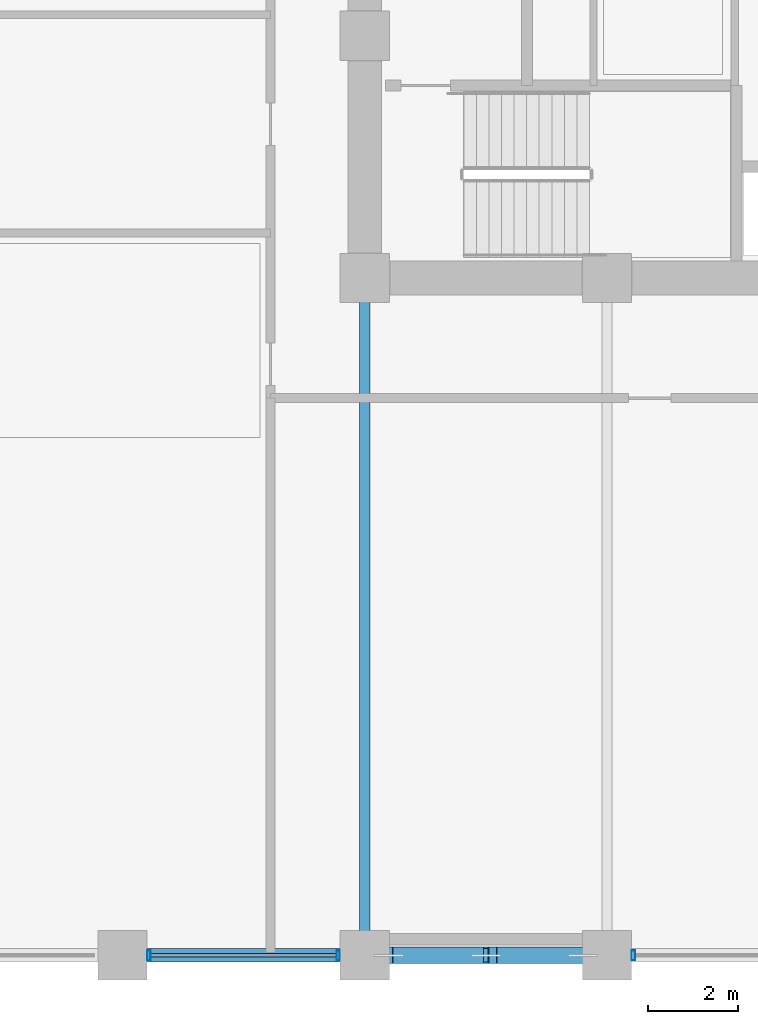
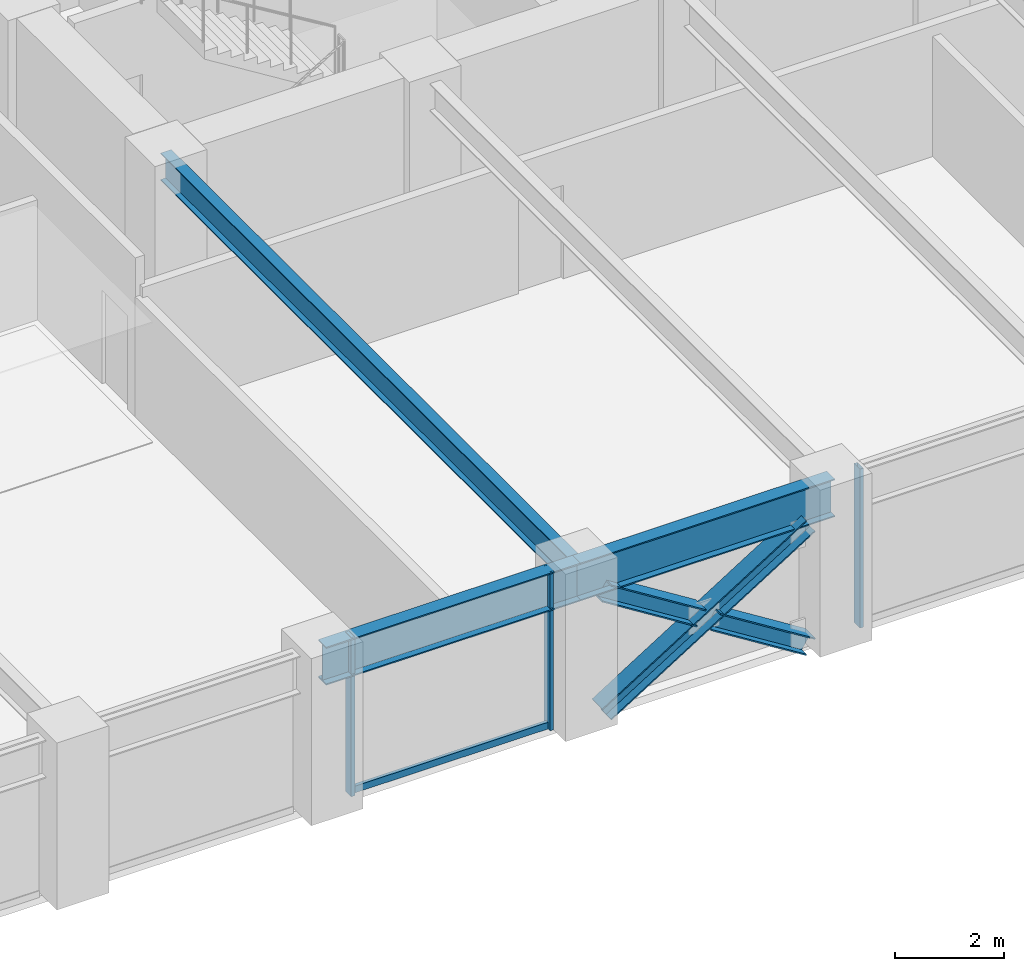
# One storey, part 4 of 25: 7 members, 3 beams, 2 elements without a shape of their own.
"""IFC4 building model written with IfcOpenShell, lengths in metres."""

from ifc_helpers import new_model, si_unit, direction, frame, origin, origin_2d, place, context, subcontext, project, spatial, hollow_rectangle, i_section, extrude, material, layer, layer_set, material_profile, profile_set, type_object, element, aggregate, save


model = new_model("IFC4")

# Units and contexts
model_context = context("Model", 3, precision=1e-05, world=origin(), true_north=direction((0.0, 1.0)))
body_context = subcontext(model_context, "Body", "Model", "MODEL_VIEW")
ifc_project = project(units=[si_unit("LENGTHUNIT", "METRE"), si_unit("AREAUNIT", "SQUARE_METRE"), si_unit("VOLUMEUNIT", "CUBIC_METRE"), si_unit("PLANEANGLEUNIT", "RADIAN"), si_unit("MASSUNIT", "GRAM", prefix="KILO")], contexts=[model_context])

# Site, building, storey
site_placement = place(None, origin())
site = spatial("IfcSite", under=ifc_project, at=site_placement, CompositionType="ELEMENT")
building_placement = place(site_placement, origin())
building = spatial("IfcBuilding", under=site, at=building_placement, Name="Surkhivell Harbour Commons", CompositionType="ELEMENT")
storey_placement = place(building_placement, frame((0.0, 0.0, 109.5)))
storey = spatial("IfcBuildingStorey", under=building, at=storey_placement, Name="L28", CompositionType="ELEMENT", Elevation=109.5)

# Beams
ifc_material_1 = material(Name="Steel S355", Category="steel")
ifc_material_profile_1 = material_profile(ifc_material_1, i_section(OverallWidth=0.22998046875, OverallDepth=0.616943359375, WebThickness=0.01318359375, FlangeThickness=0.022216796875, at=origin_2d()), Name="UB610x229x140")
ifc_profile_set_1 = profile_set([ifc_material_profile_1], Name="Steel S355")
beam_type_1 = type_object("IfcBeamType", Name="BM-GRD-610B", PredefinedType="BEAM", material=ifc_profile_set_1)
beam_1_placement = place(storey_placement, frame((-10.800048828125, -25.89990234375, 3.261474609375), z_axis=(0.0, 1.0, 0.0), x_axis=(-1.0, 0.0, 0.0)))
element("IfcBeam", 1, at=beam_1_placement, inside=storey, type_object=beam_type_1, Name="L28 Floor Girder (-10.8,-25.9)", PredefinedType="BEAM", context=body_context, shape_type="SweptSolid", body=[
    extrude(i_section(OverallWidth=0.22998046875, OverallDepth=0.616943359375, WebThickness=0.01318359375, FlangeThickness=0.022216796875, at=origin_2d()), origin(), (0.0, 0.0, 1.0), 15.099853515625),
])
ifc_material_2 = material(Name="Steel S460", Category="steel")
ifc_material_profile_2 = material_profile(ifc_material_2, i_section(OverallWidth=0.2939453125, OverallDepth=0.85107421875, WebThickness=0.01611328125, FlangeThickness=0.02685546875, at=origin_2d()), Name="UB838x292x226")
ifc_profile_set_2 = profile_set([ifc_material_profile_2], Name="Steel S460")
beam_type_2 = type_object("IfcBeamType", Name="BM-SPN-838", PredefinedType="SPANDREL", material=ifc_profile_set_2)
beam_2_placement = place(storey_placement, frame((-16.199951171875, -25.89990234375, 3.14453125), z_axis=(1.0, 0.0, 0.0), x_axis=(0.0, 1.0, 0.0)))
element("IfcBeam", 2, at=beam_2_placement, inside=storey, type_object=beam_type_2, Name="L28 Tube Spandrel (-16.2,-25.9)", PredefinedType="SPANDREL", context=body_context, shape_type="SweptSolid", body=[
    extrude(i_section(OverallWidth=0.2939453125, OverallDepth=0.85107421875, WebThickness=0.01611328125, FlangeThickness=0.02685546875, at=origin_2d()), origin(), (0.0, 0.0, 1.0), 5.39990234375),
])
beam_3_placement = place(storey_placement, frame((-10.800048828125, -25.89990234375, 3.14453125), z_axis=(1.0, 0.0, 0.0), x_axis=(0.0, 1.0, 0.0)))
element("IfcBeam", 3, at=beam_3_placement, inside=storey, type_object=beam_type_2, Name="L28 Tube Spandrel (-10.8,-25.9)", PredefinedType="SPANDREL", context=body_context, shape_type="SweptSolid", body=[
    extrude(i_section(OverallWidth=0.2939453125, OverallDepth=0.85107421875, WebThickness=0.01611328125, FlangeThickness=0.02685546875, at=origin_2d()), origin(), (0.0, 0.0, 1.0), 5.400146484375),
])

# Curtain wall, members
ifc_material_3 = material(Name="Anodised pale-metal aluminium and insulated glazing", Category="aluminium")
ifc_layer = layer(ifc_material_3, 0.205078125)
ifc_layer_set = layer_set([ifc_layer], Name="Anodised pale-metal aluminium and insulated glazing")
curtain_wall_type = type_object("IfcCurtainWallType", Name="CW-SYS-Z2", PredefinedType="NOTDEFINED", material=ifc_layer_set)
curtain_wall_1_placement = place(storey_placement, origin())
curtain_wall_1 = element("IfcCurtainWall", 4, at=curtain_wall_1_placement, inside=storey, type_object=curtain_wall_type, Name="L28 Curtain Wall CW-L28-E00S1", PredefinedType="NOTDEFINED")
ifc_material_4 = material(Name="Anodised pale-metal aluminium alloy 6063-T6", Category="aluminium")
ifc_material_profile_3 = material_profile(ifc_material_4, hollow_rectangle(XDim=0.074951171875, YDim=0.219970703125, WallThickness=0.00390625, at=origin_2d()), Name="ALU-MULL-75x220")
ifc_profile_set_3 = profile_set([ifc_material_profile_3], Name="Anodised pale-metal aluminium alloy 6063-T6")
member_type_1 = type_object("IfcMemberType", Name="CWM-220", PredefinedType="MULLION", material=ifc_profile_set_3)
member_1_placement = place(storey_placement, frame((-15.610595703125, -25.89990234375, 0.0), z_axis=(0.0, 0.0, 1.0), x_axis=(1.0, 0.0, 0.0)))
member_1 = element("IfcMember", 5, at=member_1_placement, type_object=member_type_1, Name="CW-Z2 mullion 3", PredefinedType="MULLION", context=body_context, shape_type="SweptSolid", body=[
    extrude(hollow_rectangle(XDim=0.074951171875, YDim=0.219970703125, WallThickness=0.00390625, at=origin_2d()), origin(), (0.0, 0.0, 1.0), 3.570068359375),
])
member_2_placement = place(storey_placement, frame((-11.389404296875, -25.89990234375, 0.0), z_axis=(0.0, 0.0, 1.0), x_axis=(1.0, 0.0, 0.0)))
member_2 = element("IfcMember", 6, at=member_2_placement, type_object=member_type_1, Name="CW-Z2 mullion 4", PredefinedType="MULLION", context=body_context, shape_type="SweptSolid", body=[
    extrude(hollow_rectangle(XDim=0.074951171875, YDim=0.219970703125, WallThickness=0.00390625, at=origin_2d()), origin(), (0.0, 0.0, 1.0), 3.570068359375),
])

# Curtain wall, member
curtain_wall_2_placement = place(storey_placement, origin())
curtain_wall_2 = element("IfcCurtainWall", 7, at=curtain_wall_2_placement, inside=storey, type_object=curtain_wall_type, Name="L28 Curtain Wall CW-L28-E00S2", PredefinedType="NOTDEFINED")
member_3_placement = place(storey_placement, frame((-4.810546875, -25.89990234375, 0.0), z_axis=(0.0, 0.0, 1.0), x_axis=(1.0, 0.0, 0.0)))
member_3 = element("IfcMember", 8, at=member_3_placement, type_object=member_type_1, Name="CW-Z2 mullion 1", PredefinedType="MULLION", context=body_context, shape_type="SweptSolid", body=[
    extrude(hollow_rectangle(XDim=0.074951171875, YDim=0.219970703125, WallThickness=0.00390625, at=origin_2d()), origin(), (0.0, 0.0, 1.0), 3.570068359375),
])
aggregate(curtain_wall_2, [member_3])

# Member
ifc_material_profile_4 = material_profile(ifc_material_4, hollow_rectangle(XDim=0.074951171875, YDim=0.14990234375, WallThickness=0.00341796875, at=origin_2d()), Name="ALU-TRAN-75x150")
ifc_profile_set_4 = profile_set([ifc_material_profile_4], Name="Anodised pale-metal aluminium alloy 6063-T6")
member_type_2 = type_object("IfcMemberType", Name="CWT-150", PredefinedType="USERDEFINED", material=ifc_profile_set_4)
member_4_placement = place(storey_placement, frame((-15.572998046875, -25.89990234375, 0.074951171875), z_axis=(1.0, 0.0, 0.0), x_axis=(0.0, 1.0, 0.0)))
member_4 = element("IfcMember", 9, at=member_4_placement, type_object=member_type_2, Name="CW-Z2 transom 3.1", ObjectType="TRANSOM", PredefinedType="USERDEFINED", context=body_context, shape_type="SweptSolid", body=[
    extrude(hollow_rectangle(XDim=0.074951171875, YDim=0.14990234375, WallThickness=0.00341796875, at=origin_2d()), origin(), (0.0, 0.0, 1.0), 4.14599609375),
])

aggregate(curtain_wall_1, [member_1, member_2, member_4])

# Members
ifc_material_profile_5 = material_profile(ifc_material_2, i_section(OverallWidth=0.375, OverallDepth=0.375, WebThickness=0.0166015625, FlangeThickness=0.027099609375, at=origin_2d()), Name="UC356x368x202")
ifc_profile_set_5 = profile_set([ifc_material_profile_5], Name="Steel S460")
member_type_3 = type_object("IfcMemberType", Name="MEM-BRC-UC356", PredefinedType="BRACE", material=ifc_profile_set_5)
member_5_placement = place(storey_placement, frame((-10.264892578125, -25.89990234375, 0.008056640625), z_axis=(0.847232535652, 0.0, 0.53122220448), x_axis=(0.0, 1.0, 0.0)))
element("IfcMember", 10, at=member_5_placement, inside=storey, type_object=member_type_3, Name="L28 Perimeter Mega-Brace MB- 07", PredefinedType="BRACE", context=body_context, shape_type="SweptSolid", body=[
    extrude(i_section(OverallWidth=0.375, OverallDepth=0.375, WebThickness=0.0166015625, FlangeThickness=0.027099609375, at=origin_2d()), origin(), (0.0, 0.0, 1.0), 5.110595703125),
])
member_6_placement = place(storey_placement, frame((-5.93505859375, -25.89990234375, 0.008056640625), z_axis=(-0.847206308526, 0.0, 0.53126403115), x_axis=(0.0, -1.0, 0.0)))
element("IfcMember", 11, at=member_6_placement, inside=storey, type_object=member_type_3, Name="L28 Perimeter Mega-Brace MB- 08", PredefinedType="BRACE", context=body_context, shape_type="SweptSolid", body=[
    extrude(i_section(OverallWidth=0.375, OverallDepth=0.375, WebThickness=0.0166015625, FlangeThickness=0.027099609375, at=origin_2d()), origin(), (0.0, 0.0, 1.0), 2.37548828125),
])
member_7_placement = place(storey_placement, frame((-8.25244140625, -25.89990234375, 1.461181640625), z_axis=(-0.84725256761, 0.0, 0.53119025469), x_axis=(0.0, -1.0, 0.0)))
element("IfcMember", 12, at=member_7_placement, inside=storey, type_object=member_type_3, Name="L28 Perimeter Mega-Brace MB- 09", PredefinedType="BRACE", context=body_context, shape_type="SweptSolid", body=[
    extrude(i_section(OverallWidth=0.375, OverallDepth=0.375, WebThickness=0.0166015625, FlangeThickness=0.027099609375, at=origin_2d()), origin(), (0.0, 0.0, 1.0), 2.375244140625),
])

save(model, "model.ifc")
